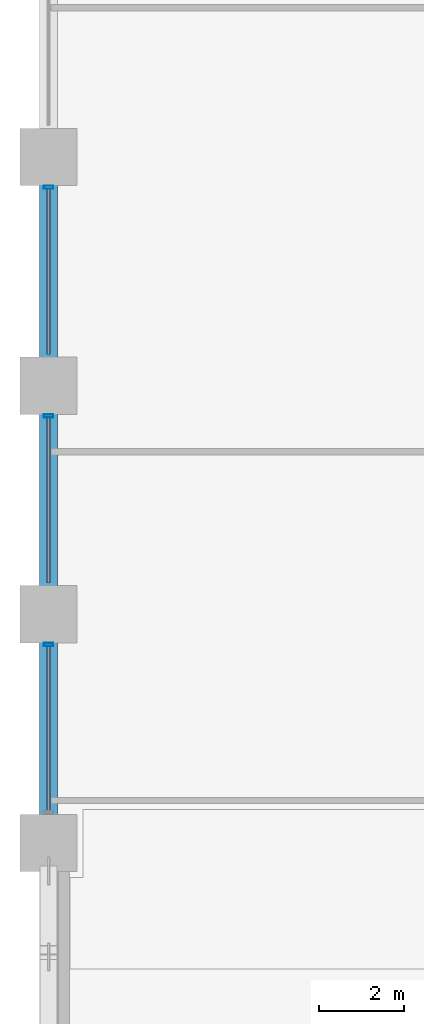
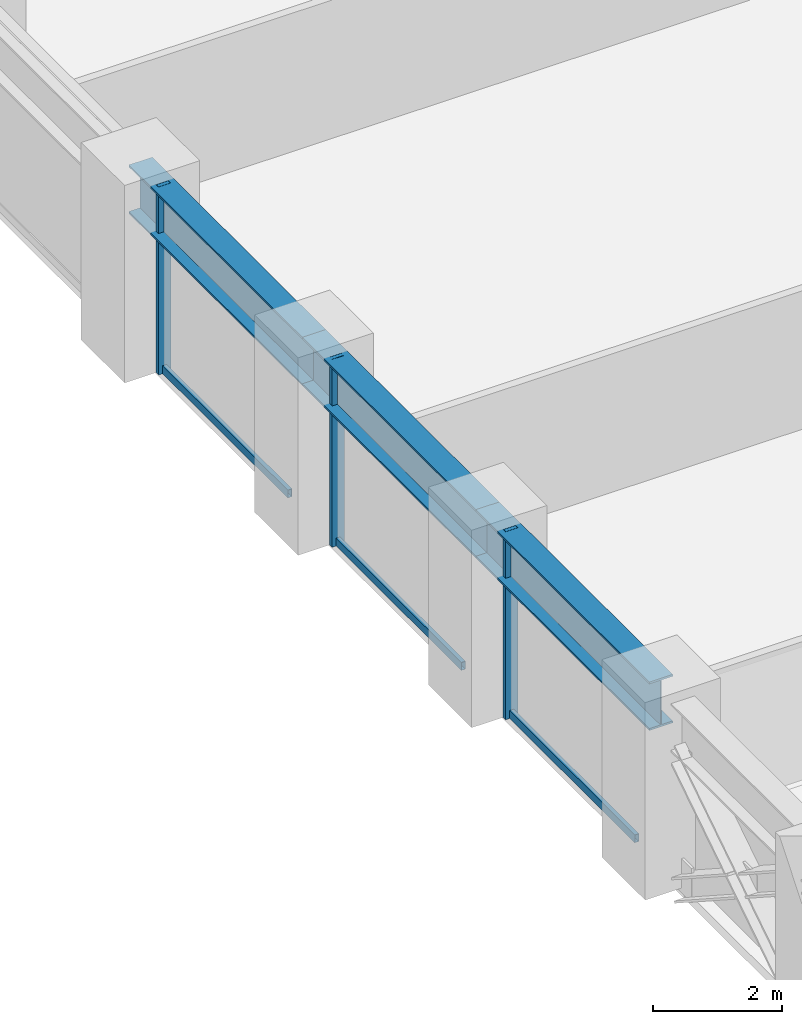
# One storey, part 6 of 25: 6 members, 3 beams, 1 element without a shape of its own.
"""IFC4 building model written with IfcOpenShell, lengths in metres."""

from ifc_helpers import new_model, si_unit, direction, frame, origin, origin_2d, place, context, subcontext, project, spatial, hollow_rectangle, i_section, extrude, material, layer, layer_set, material_profile, profile_set, type_object, element, aggregate, save


model = new_model("IFC4")

# Units and contexts
model_context = context("Model", 3, precision=1e-05, world=origin(), true_north=direction((0.0, 1.0)))
body_context = subcontext(model_context, "Body", "Model", "MODEL_VIEW")
ifc_project = project(units=[si_unit("LENGTHUNIT", "METRE"), si_unit("AREAUNIT", "SQUARE_METRE"), si_unit("VOLUMEUNIT", "CUBIC_METRE"), si_unit("PLANEANGLEUNIT", "RADIAN"), si_unit("MASSUNIT", "GRAM", prefix="KILO")], contexts=[model_context])

# Site, building, storey
site_placement = place(None, origin())
site = spatial("IfcSite", under=ifc_project, at=site_placement, CompositionType="ELEMENT")
building_placement = place(site_placement, origin())
building = spatial("IfcBuilding", under=site, at=building_placement, Name="Surkhivell Harbour Commons", CompositionType="ELEMENT")
storey_placement = place(building_placement, frame((0.0, 0.0, 45.0)))
storey = spatial("IfcBuildingStorey", under=building, at=storey_placement, Name="L11", CompositionType="ELEMENT", Elevation=45.0)

# Beams
ifc_material_1 = material(Name="Steel S460", Category="steel")
ifc_material_profile_1 = material_profile(ifc_material_1, i_section(OverallWidth=0.419921875, OverallDepth=0.9208984375, WebThickness=0.021484375, FlangeThickness=0.03662109375, at=origin_2d()), Name="UB914x419x388")
ifc_profile_set_1 = profile_set([ifc_material_profile_1], Name="Steel S460")
beam_type = type_object("IfcBeamType", Name="BM-SPN-914A", PredefinedType="SPANDREL", material=ifc_profile_set_1)
beam_placement = place(storey_placement, frame((-32.39990234375, -10.800048828125, 3.109619140625), z_axis=(0.0, 1.0, 0.0), x_axis=(-1.0, 0.0, 0.0)))
element("IfcBeam", 1, at=beam_placement, inside=storey, type_object=beam_type, Name="L11 Tube Spandrel (-32.4,-10.8)", PredefinedType="SPANDREL", context=body_context, shape_type="SweptSolid", body=[
    extrude(i_section(OverallWidth=0.419921875, OverallDepth=0.9208984375, WebThickness=0.021484375, FlangeThickness=0.03662109375, at=origin_2d()), origin(), (0.0, 0.0, 1.0), 5.400146484375),
])
for number, where, z_axis, x_axis, name in (
    (2, (-32.39990234375, -5.39990234375, 3.109619140625), (0.0, 1.0, 0.0), (-1.0, 0.0, 0.0), "L11 Tube Spandrel (-32.4,-5.4)"),
    (3, (-32.39990234375, 0.0, 3.109619140625), (0.0, 1.0, 0.0), (-1.0, 0.0, 0.0), "L11 Tube Spandrel (-32.4,0.0)"),
):
    element("IfcBeam", number, at=place(storey_placement, frame(where, z_axis=z_axis, x_axis=x_axis)), inside=storey, type_object=beam_type, Name=name, PredefinedType="SPANDREL", context=body_context, shape_type="SweptSolid", body=[
        extrude(i_section(OverallWidth=0.419921875, OverallDepth=0.9208984375, WebThickness=0.021484375, FlangeThickness=0.03662109375, at=origin_2d()), origin(), (0.0, 0.0, 1.0), 5.39990234375),
    ])

# Curtain wall, members
ifc_material_2 = material(Name="Anodised pale-metal aluminium and insulated glazing", Category="aluminium")
ifc_layer = layer(ifc_material_2, 0.219970703125)
ifc_layer_set = layer_set([ifc_layer], Name="Anodised pale-metal aluminium and insulated glazing")
curtain_wall_type = type_object("IfcCurtainWallType", Name="CW-SYS-Z1", PredefinedType="NOTDEFINED", material=ifc_layer_set)
curtain_wall_placement = place(storey_placement, origin())
curtain_wall = element("IfcCurtainWall", 4, at=curtain_wall_placement, inside=storey, type_object=curtain_wall_type, Name="L11 Curtain Wall CW-L11-E12S1", PredefinedType="NOTDEFINED")
ifc_material_3 = material(Name="Anodised pale-metal aluminium alloy 6063-T6", Category="aluminium")
ifc_material_profile_2 = material_profile(ifc_material_3, hollow_rectangle(XDim=0.074951171875, YDim=0.219970703125, WallThickness=0.00390625, at=origin_2d()), Name="ALU-MULL-75x220")
ifc_profile_set_2 = profile_set([ifc_material_profile_2], Name="Anodised pale-metal aluminium alloy 6063-T6")
member_type_1 = type_object("IfcMemberType", Name="CWM-220", PredefinedType="MULLION", material=ifc_profile_set_2)
member_1_placement = place(storey_placement, frame((-32.39990234375, 4.685546875, 0.0), z_axis=(0.0, 0.0, 1.0), x_axis=(0.0, -1.0, 0.0)))
member_1 = element("IfcMember", 5, at=member_1_placement, type_object=member_type_1, Name="CW-Z1 mullion 4", PredefinedType="MULLION", context=body_context, shape_type="SweptSolid", body=[
    extrude(hollow_rectangle(XDim=0.074951171875, YDim=0.219970703125, WallThickness=0.00390625, at=origin_2d()), origin(), (0.0, 0.0, 1.0), 3.570068359375),
])
member_2_placement = place(storey_placement, frame((-32.39990234375, -0.714599609375, 0.0), z_axis=(0.0, 0.0, 1.0), x_axis=(0.0, -1.0, 0.0)))
member_2 = element("IfcMember", 6, at=member_2_placement, type_object=member_type_1, Name="CW-Z1 mullion 5", PredefinedType="MULLION", context=body_context, shape_type="SweptSolid", body=[
    extrude(hollow_rectangle(XDim=0.074951171875, YDim=0.219970703125, WallThickness=0.00390625, at=origin_2d()), origin(), (0.0, 0.0, 1.0), 3.570068359375),
])
member_3_placement = place(storey_placement, frame((-32.39990234375, -6.114501953125, 0.0), z_axis=(0.0, 0.0, 1.0), x_axis=(0.0, -1.0, 0.0)))
member_3 = element("IfcMember", 7, at=member_3_placement, type_object=member_type_1, Name="CW-Z1 mullion 6", PredefinedType="MULLION", context=body_context, shape_type="SweptSolid", body=[
    extrude(hollow_rectangle(XDim=0.074951171875, YDim=0.219970703125, WallThickness=0.00390625, at=origin_2d()), origin(), (0.0, 0.0, 1.0), 3.570068359375),
])
ifc_material_profile_3 = material_profile(ifc_material_3, hollow_rectangle(XDim=0.074951171875, YDim=0.14990234375, WallThickness=0.00341796875, at=origin_2d()), Name="ALU-TRAN-75x150")
ifc_profile_set_3 = profile_set([ifc_material_profile_3], Name="Anodised pale-metal aluminium alloy 6063-T6")
member_type_2 = type_object("IfcMemberType", Name="CWT-150", PredefinedType="USERDEFINED", material=ifc_profile_set_3)
member_4_placement = place(storey_placement, frame((-32.39990234375, 4.64794921875, 0.074951171875), z_axis=(0.0, -1.0, 0.0), x_axis=(1.0, 0.0, 0.0)))
member_4 = element("IfcMember", 8, at=member_4_placement, type_object=member_type_2, Name="CW-Z1 transom 4.1", ObjectType="TRANSOM", PredefinedType="USERDEFINED", context=body_context, shape_type="SweptSolid", body=[
    extrude(hollow_rectangle(XDim=0.074951171875, YDim=0.14990234375, WallThickness=0.00341796875, at=origin_2d()), origin(), (0.0, 0.0, 1.0), 3.89599609375),
])
member_5_placement = place(storey_placement, frame((-32.39990234375, -0.751953125, 0.074951171875), z_axis=(0.0, -1.0, 0.0), x_axis=(1.0, 0.0, 0.0)))
member_5 = element("IfcMember", 9, at=member_5_placement, type_object=member_type_2, Name="CW-Z1 transom 5.1", ObjectType="TRANSOM", PredefinedType="USERDEFINED", context=body_context, shape_type="SweptSolid", body=[
    extrude(hollow_rectangle(XDim=0.074951171875, YDim=0.14990234375, WallThickness=0.00341796875, at=origin_2d()), origin(), (0.0, 0.0, 1.0), 3.89599609375),
])
member_6_placement = place(storey_placement, frame((-32.39990234375, -6.152099609375, 0.074951171875), z_axis=(0.0, -1.0, 0.0), x_axis=(1.0, 0.0, 0.0)))
member_6 = element("IfcMember", 10, at=member_6_placement, type_object=member_type_2, Name="CW-Z1 transom 6.1", ObjectType="TRANSOM", PredefinedType="USERDEFINED", context=body_context, shape_type="SweptSolid", body=[
    extrude(hollow_rectangle(XDim=0.074951171875, YDim=0.14990234375, WallThickness=0.00341796875, at=origin_2d()), origin(), (0.0, 0.0, 1.0), 3.89599609375),
])
aggregate(curtain_wall, [member_1, member_4, member_2, member_5, member_3, member_6])

save(model, "model.ifc")
